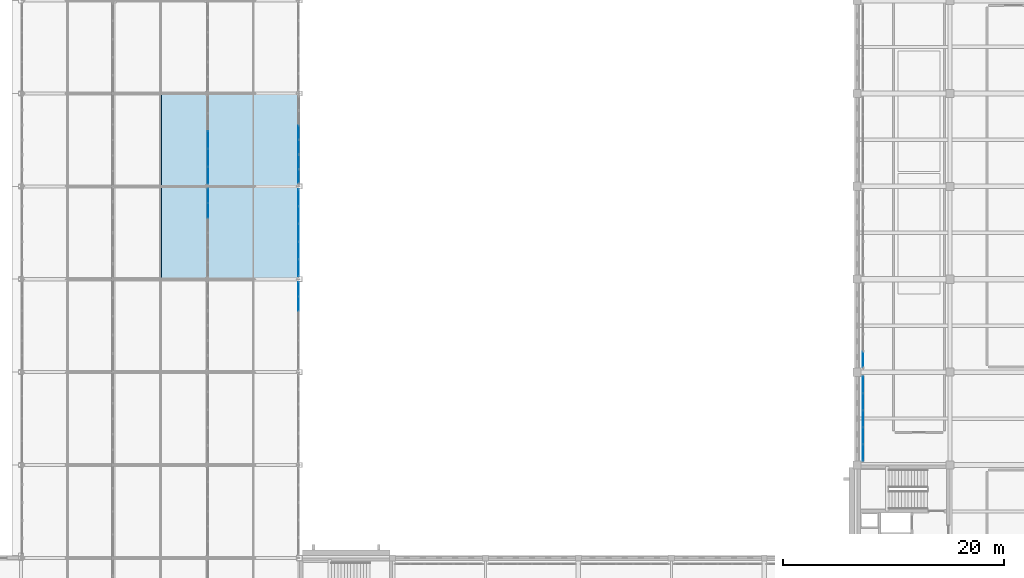
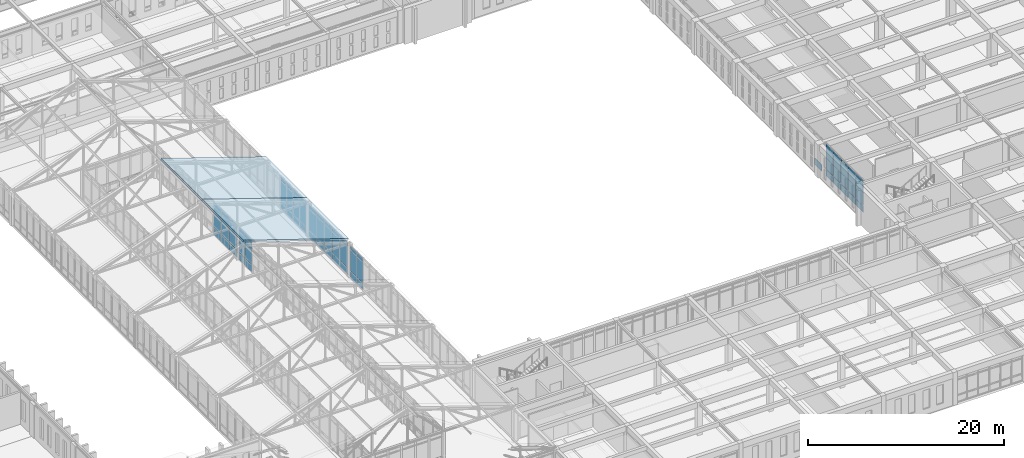
# One storey, part 119 of 192: 64 plates, 2 slabs, 7 elements without a shape of their own.
"""IFC4 building model written with IfcOpenShell, lengths in metres."""

from ifc_helpers import new_model, si_unit, direction, frame, origin, origin_2d, place, context, subcontext, project, spatial, polyline, rectangle, outline, extrude, material, layer, layer_set, type_object, element, aggregate, save


model = new_model("IFC4")

# Units and contexts
model_context = context("Model", 3, precision=1e-05, world=origin(), true_north=direction((0.0, 1.0)))
body_context = subcontext(model_context, "Body", "Model", "MODEL_VIEW")
ifc_project = project(units=[si_unit("LENGTHUNIT", "METRE"), si_unit("AREAUNIT", "SQUARE_METRE"), si_unit("VOLUMEUNIT", "CUBIC_METRE"), si_unit("PLANEANGLEUNIT", "RADIAN"), si_unit("MASSUNIT", "GRAM", prefix="KILO")], contexts=[model_context])

# Site, building, storey
site_placement = place(None, origin())
site = spatial("IfcSite", under=ifc_project, at=site_placement, CompositionType="ELEMENT")
building_placement = place(site_placement, origin())
building = spatial("IfcBuilding", under=site, at=building_placement, Name="Kveldsbrygga Polytechnic", CompositionType="ELEMENT")
storey_placement = place(building_placement, frame((0.0, 0.0, 5.43994140625)))
storey = spatial("IfcBuildingStorey", under=building, at=storey_placement, Name="L01", CompositionType="ELEMENT", Elevation=5.43994140625)

# Curtain wall, plates
ifc_material_1 = material(Name="Anodised aluminium AW-6060", Category="aluminium")
ifc_layer_1 = layer(ifc_material_1, 0.179931640625)
ifc_layer_set_1 = layer_set([ifc_layer_1], Name="Anodised aluminium AW-6060")
curtain_wall_type_1 = type_object("IfcCurtainWallType", Name="CW-CONC-A", PredefinedType="USERDEFINED", material=ifc_layer_set_1)
curtain_wall_1_placement = place(storey_placement, origin())
curtain_wall_1 = element("IfcCurtainWall", 1, at=curtain_wall_1_placement, inside=storey, type_object=curtain_wall_type_1, Name="Curtain Wall CW-L01-Y-09-05", ObjectType="UNITISED CURTAIN WALL", PredefinedType="USERDEFINED")
ifc_material_2 = material(Name="Insulated triple low-E glass", Category="glass")
ifc_layer_2 = layer(ifc_material_2, 0.035888671875)
ifc_layer_set_2 = layer_set([ifc_layer_2], Name="Insulated triple low-E glass")
plate_type_1 = type_object("IfcPlateType", Name="CW-PAN-VIS36", PredefinedType="CURTAIN_PANEL", material=ifc_layer_set_2)
plate_1_placement = place(storey_placement, frame((75.5, 48.1875, 0.06005859375), z_axis=(0.0, 0.0, 1.0), x_axis=(0.0, 1.0, 0.0)))
plate_1 = element("IfcPlate", 2, at=plate_1_placement, type_object=plate_type_1, Name="CW-01 panel 5.1", PredefinedType="CURTAIN_PANEL", context=body_context, shape_type="SweptSolid", body=[
    extrude(rectangle(XDim=1.264892578125, YDim=0.035888671875, at=origin_2d()), origin(), (0.0, 0.0, 1.0), 0.81005859375),
])
plate_2_placement = place(storey_placement, frame((75.5, 48.1875, 0.93017578125), z_axis=(0.0, 0.0, 1.0), x_axis=(0.0, 1.0, 0.0)))
plate_2 = element("IfcPlate", 3, at=plate_2_placement, type_object=plate_type_1, Name="CW-01 panel 5.2", PredefinedType="CURTAIN_PANEL", context=body_context, shape_type="SweptSolid", body=[
    extrude(rectangle(XDim=1.264892578125, YDim=0.035888671875, at=origin_2d()), origin(), (0.0, 0.0, 1.0), 2.610107421875),
])
plate_3_placement = place(storey_placement, frame((75.5, 48.1875, 3.60009765625), z_axis=(0.0, 0.0, 1.0), x_axis=(0.0, 1.0, 0.0)))
plate_3 = element("IfcPlate", 4, at=plate_3_placement, type_object=plate_type_1, Name="CW-01 panel 5.3", PredefinedType="CURTAIN_PANEL", context=body_context, shape_type="SweptSolid", body=[
    extrude(rectangle(XDim=1.264892578125, YDim=0.035888671875, at=origin_2d()), origin(), (0.0, 0.0, 1.0), 0.4599609375),
])
plate_4_placement = place(storey_placement, frame((75.5, 49.49755859375, 0.06005859375), z_axis=(0.0, 0.0, 1.0), x_axis=(0.0, 1.0, 0.0)))
plate_4 = element("IfcPlate", 5, at=plate_4_placement, type_object=plate_type_1, Name="CW-01 panel 6.1", PredefinedType="CURTAIN_PANEL", context=body_context, shape_type="SweptSolid", body=[
    extrude(rectangle(XDim=1.235107421875, YDim=0.035888671875, at=origin_2d()), origin(), (0.0, 0.0, 1.0), 0.81005859375),
])
plate_5_placement = place(storey_placement, frame((75.5, 49.49755859375, 0.93017578125), z_axis=(0.0, 0.0, 1.0), x_axis=(0.0, 1.0, 0.0)))
plate_5 = element("IfcPlate", 6, at=plate_5_placement, type_object=plate_type_1, Name="CW-01 panel 6.2", PredefinedType="CURTAIN_PANEL", context=body_context, shape_type="SweptSolid", body=[
    extrude(rectangle(XDim=1.235107421875, YDim=0.035888671875, at=origin_2d()), origin(), (0.0, 0.0, 1.0), 2.610107421875),
])
plate_6_placement = place(storey_placement, frame((75.5, 49.49755859375, 3.60009765625), z_axis=(0.0, 0.0, 1.0), x_axis=(0.0, 1.0, 0.0)))
plate_6 = element("IfcPlate", 7, at=plate_6_placement, type_object=plate_type_1, Name="CW-01 panel 6.3", PredefinedType="CURTAIN_PANEL", context=body_context, shape_type="SweptSolid", body=[
    extrude(rectangle(XDim=1.235107421875, YDim=0.035888671875, at=origin_2d()), origin(), (0.0, 0.0, 1.0), 0.4599609375),
])
aggregate(curtain_wall_1, [plate_1, plate_2, plate_3, plate_4, plate_5, plate_6])

curtain_wall_2_placement = place(storey_placement, origin())
curtain_wall_2 = element("IfcCurtainWall", 8, at=curtain_wall_2_placement, inside=storey, type_object=curtain_wall_type_1, Name="Curtain Wall CW-L01-Y-08-06", ObjectType="UNITISED CURTAIN WALL", PredefinedType="USERDEFINED")
plate_7_placement = place(storey_placement, frame((67.300048828125, 56.62255859375, 0.06005859375), z_axis=(0.0, 0.0, 1.0), x_axis=(0.0, 1.0, 0.0)))
plate_7 = element("IfcPlate", 9, at=plate_7_placement, type_object=plate_type_1, Name="CW-01 panel 5.1", PredefinedType="CURTAIN_PANEL", context=body_context, shape_type="SweptSolid", body=[
    extrude(rectangle(XDim=1.288330078125, YDim=0.035888671875, at=origin_2d()), origin(), (0.0, 0.0, 1.0), 0.81005859375),
])
plate_8_placement = place(storey_placement, frame((67.300048828125, 56.62255859375, 0.93017578125), z_axis=(0.0, 0.0, 1.0), x_axis=(0.0, 1.0, 0.0)))
plate_8 = element("IfcPlate", 10, at=plate_8_placement, type_object=plate_type_1, Name="CW-01 panel 5.2", PredefinedType="CURTAIN_PANEL", context=body_context, shape_type="SweptSolid", body=[
    extrude(rectangle(XDim=1.288330078125, YDim=0.035888671875, at=origin_2d()), origin(), (0.0, 0.0, 1.0), 2.610107421875),
])
plate_9_placement = place(storey_placement, frame((67.300048828125, 56.62255859375, 3.60009765625), z_axis=(0.0, 0.0, 1.0), x_axis=(0.0, 1.0, 0.0)))
plate_9 = element("IfcPlate", 11, at=plate_9_placement, type_object=plate_type_1, Name="CW-01 panel 5.3", PredefinedType="CURTAIN_PANEL", context=body_context, shape_type="SweptSolid", body=[
    extrude(rectangle(XDim=1.288330078125, YDim=0.035888671875, at=origin_2d()), origin(), (0.0, 0.0, 1.0), 0.4599609375),
])
plate_10_placement = place(storey_placement, frame((67.300048828125, 57.955810546875, 0.06005859375), z_axis=(0.0, 0.0, 1.0), x_axis=(0.0, 1.0, 0.0)))
plate_10 = element("IfcPlate", 12, at=plate_10_placement, type_object=plate_type_1, Name="CW-01 panel 6.1", PredefinedType="CURTAIN_PANEL", context=body_context, shape_type="SweptSolid", body=[
    extrude(rectangle(XDim=1.25830078125, YDim=0.035888671875, at=origin_2d()), origin(), (0.0, 0.0, 1.0), 0.81005859375),
])
plate_11_placement = place(storey_placement, frame((67.300048828125, 57.955810546875, 0.93017578125), z_axis=(0.0, 0.0, 1.0), x_axis=(0.0, 1.0, 0.0)))
plate_11 = element("IfcPlate", 13, at=plate_11_placement, type_object=plate_type_1, Name="CW-01 panel 6.2", PredefinedType="CURTAIN_PANEL", context=body_context, shape_type="SweptSolid", body=[
    extrude(rectangle(XDim=1.25830078125, YDim=0.035888671875, at=origin_2d()), origin(), (0.0, 0.0, 1.0), 2.610107421875),
])
plate_12_placement = place(storey_placement, frame((67.300048828125, 57.955810546875, 3.60009765625), z_axis=(0.0, 0.0, 1.0), x_axis=(0.0, 1.0, 0.0)))
plate_12 = element("IfcPlate", 14, at=plate_12_placement, type_object=plate_type_1, Name="CW-01 panel 6.3", PredefinedType="CURTAIN_PANEL", context=body_context, shape_type="SweptSolid", body=[
    extrude(rectangle(XDim=1.25830078125, YDim=0.035888671875, at=origin_2d()), origin(), (0.0, 0.0, 1.0), 0.4599609375),
])
aggregate(curtain_wall_2, [plate_7, plate_8, plate_9, plate_10, plate_11, plate_12])

# Curtain wall, plate
ifc_layer_3 = layer(ifc_material_1, 0.18994140625)
ifc_layer_set_3 = layer_set([ifc_layer_3], Name="Anodised aluminium AW-6060")
curtain_wall_type_2 = type_object("IfcCurtainWallType", Name="CW-REFC-G", PredefinedType="USERDEFINED", material=ifc_layer_set_3)
curtain_wall_3_placement = place(storey_placement, origin())
curtain_wall_3 = element("IfcCurtainWall", 15, at=curtain_wall_3_placement, inside=storey, type_object=curtain_wall_type_2, Name="Curtain Wall CW-L01-Y-15-05", ObjectType="UNITISED CURTAIN WALL", PredefinedType="USERDEFINED")
plate_13_placement = place(storey_placement, frame((126.550048828125, 43.148193359375, 0.06005859375), z_axis=(0.0, 0.0, 1.0), x_axis=(0.0, 1.0, 0.0)))
plate_13 = element("IfcPlate", 16, at=plate_13_placement, type_object=plate_type_1, Name="CW-07 panel 1.1", PredefinedType="CURTAIN_PANEL", context=body_context, shape_type="SweptSolid", body=[
    extrude(rectangle(XDim=1.426513671875, YDim=0.035888671875, at=origin_2d()), origin(), (0.0, 0.0, 1.0), 0.81005859375),
])
aggregate(curtain_wall_3, [plate_13])

# Curtain wall, plates
ifc_layer_4 = layer(ifc_material_1, 0.199951171875)
ifc_layer_set_4 = layer_set([ifc_layer_4], Name="Anodised aluminium AW-6060")
curtain_wall_type_3 = type_object("IfcCurtainWallType", Name="CW-CONC-B", PredefinedType="USERDEFINED", material=ifc_layer_set_4)
curtain_wall_4_placement = place(storey_placement, origin())
curtain_wall_4 = element("IfcCurtainWall", 17, at=curtain_wall_4_placement, inside=storey, type_object=curtain_wall_type_3, Name="Curtain Wall CW-L01-Y-09-06", ObjectType="UNITISED CURTAIN WALL", PredefinedType="USERDEFINED")
ifc_layer_5 = layer(ifc_material_2, 0.0419921875)
ifc_layer_set_5 = layer_set([ifc_layer_5], Name="Insulated triple low-E glass")
plate_type_2 = type_object("IfcPlateType", Name="CW-PAN-VIS42", PredefinedType="CURTAIN_PANEL", material=ifc_layer_set_5)
plate_14_placement = place(storey_placement, frame((75.5, 51.43505859375, 0.06005859375), z_axis=(0.0, 0.0, 1.0), x_axis=(0.0, 1.0, 0.0)))
plate_14 = element("IfcPlate", 18, at=plate_14_placement, type_object=plate_type_2, Name="CW-02 panel 1.1", PredefinedType="CURTAIN_PANEL", context=body_context, shape_type="SweptSolid", body=[
    extrude(rectangle(XDim=1.5, YDim=0.0419921875, at=origin_2d()), origin(), (0.0, 0.0, 1.0), 0.81005859375),
])
plate_15_placement = place(storey_placement, frame((75.5, 51.43505859375, 0.93017578125), z_axis=(0.0, 0.0, 1.0), x_axis=(0.0, 1.0, 0.0)))
plate_15 = element("IfcPlate", 19, at=plate_15_placement, type_object=plate_type_2, Name="CW-02 panel 1.2", PredefinedType="CURTAIN_PANEL", context=body_context, shape_type="SweptSolid", body=[
    extrude(rectangle(XDim=1.5, YDim=0.0419921875, at=origin_2d()), origin(), (0.0, 0.0, 1.0), 2.610107421875),
])
plate_16_placement = place(storey_placement, frame((75.5, 51.43505859375, 3.60009765625), z_axis=(0.0, 0.0, 1.0), x_axis=(0.0, 1.0, 0.0)))
plate_16 = element("IfcPlate", 20, at=plate_16_placement, type_object=plate_type_2, Name="CW-02 panel 1.3", PredefinedType="CURTAIN_PANEL", context=body_context, shape_type="SweptSolid", body=[
    extrude(rectangle(XDim=1.5, YDim=0.0419921875, at=origin_2d()), origin(), (0.0, 0.0, 1.0), 0.4599609375),
])
plate_17_placement = place(storey_placement, frame((75.5, 53.010009765625, 0.06005859375), z_axis=(0.0, 0.0, 1.0), x_axis=(0.0, 1.0, 0.0)))
plate_17 = element("IfcPlate", 21, at=plate_17_placement, type_object=plate_type_2, Name="CW-02 panel 2.1", PredefinedType="CURTAIN_PANEL", context=body_context, shape_type="SweptSolid", body=[
    extrude(rectangle(XDim=1.530029296875, YDim=0.0419921875, at=origin_2d()), origin(), (0.0, 0.0, 1.0), 0.81005859375),
])
plate_18_placement = place(storey_placement, frame((75.5, 53.010009765625, 0.93017578125), z_axis=(0.0, 0.0, 1.0), x_axis=(0.0, 1.0, 0.0)))
plate_18 = element("IfcPlate", 22, at=plate_18_placement, type_object=plate_type_2, Name="CW-02 panel 2.2", PredefinedType="CURTAIN_PANEL", context=body_context, shape_type="SweptSolid", body=[
    extrude(rectangle(XDim=1.530029296875, YDim=0.0419921875, at=origin_2d()), origin(), (0.0, 0.0, 1.0), 2.610107421875),
])
plate_19_placement = place(storey_placement, frame((75.5, 53.010009765625, 3.60009765625), z_axis=(0.0, 0.0, 1.0), x_axis=(0.0, 1.0, 0.0)))
plate_19 = element("IfcPlate", 23, at=plate_19_placement, type_object=plate_type_2, Name="CW-02 panel 2.3", PredefinedType="CURTAIN_PANEL", context=body_context, shape_type="SweptSolid", body=[
    extrude(rectangle(XDim=1.530029296875, YDim=0.0419921875, at=origin_2d()), origin(), (0.0, 0.0, 1.0), 0.4599609375),
])
plate_20_placement = place(storey_placement, frame((75.5, 54.60009765625, 0.06005859375), z_axis=(0.0, 0.0, 1.0), x_axis=(0.0, 1.0, 0.0)))
plate_20 = element("IfcPlate", 24, at=plate_20_placement, type_object=plate_type_2, Name="CW-02 panel 3.1", PredefinedType="CURTAIN_PANEL", context=body_context, shape_type="SweptSolid", body=[
    extrude(rectangle(XDim=1.530029296875, YDim=0.0419921875, at=origin_2d()), origin(), (0.0, 0.0, 1.0), 0.81005859375),
])
plate_21_placement = place(storey_placement, frame((75.5, 54.60009765625, 0.93017578125), z_axis=(0.0, 0.0, 1.0), x_axis=(0.0, 1.0, 0.0)))
plate_21 = element("IfcPlate", 25, at=plate_21_placement, type_object=plate_type_2, Name="CW-02 panel 3.2", PredefinedType="CURTAIN_PANEL", context=body_context, shape_type="SweptSolid", body=[
    extrude(rectangle(XDim=1.530029296875, YDim=0.0419921875, at=origin_2d()), origin(), (0.0, 0.0, 1.0), 2.610107421875),
])
plate_22_placement = place(storey_placement, frame((75.5, 54.60009765625, 3.60009765625), z_axis=(0.0, 0.0, 1.0), x_axis=(0.0, 1.0, 0.0)))
plate_22 = element("IfcPlate", 26, at=plate_22_placement, type_object=plate_type_2, Name="CW-02 panel 3.3", PredefinedType="CURTAIN_PANEL", context=body_context, shape_type="SweptSolid", body=[
    extrude(rectangle(XDim=1.530029296875, YDim=0.0419921875, at=origin_2d()), origin(), (0.0, 0.0, 1.0), 0.4599609375),
])
plate_23_placement = place(storey_placement, frame((75.5, 56.18994140625, 0.06005859375), z_axis=(0.0, 0.0, 1.0), x_axis=(0.0, 1.0, 0.0)))
plate_23 = element("IfcPlate", 27, at=plate_23_placement, type_object=plate_type_2, Name="CW-02 panel 4.1", PredefinedType="CURTAIN_PANEL", context=body_context, shape_type="SweptSolid", body=[
    extrude(rectangle(XDim=1.530029296875, YDim=0.0419921875, at=origin_2d()), origin(), (0.0, 0.0, 1.0), 0.81005859375),
])
plate_24_placement = place(storey_placement, frame((75.5, 56.18994140625, 0.93017578125), z_axis=(0.0, 0.0, 1.0), x_axis=(0.0, 1.0, 0.0)))
plate_24 = element("IfcPlate", 28, at=plate_24_placement, type_object=plate_type_2, Name="CW-02 panel 4.2", PredefinedType="CURTAIN_PANEL", context=body_context, shape_type="SweptSolid", body=[
    extrude(rectangle(XDim=1.530029296875, YDim=0.0419921875, at=origin_2d()), origin(), (0.0, 0.0, 1.0), 2.610107421875),
])
plate_25_placement = place(storey_placement, frame((75.5, 56.18994140625, 3.60009765625), z_axis=(0.0, 0.0, 1.0), x_axis=(0.0, 1.0, 0.0)))
plate_25 = element("IfcPlate", 29, at=plate_25_placement, type_object=plate_type_2, Name="CW-02 panel 4.3", PredefinedType="CURTAIN_PANEL", context=body_context, shape_type="SweptSolid", body=[
    extrude(rectangle(XDim=1.530029296875, YDim=0.0419921875, at=origin_2d()), origin(), (0.0, 0.0, 1.0), 0.4599609375),
])
plate_26_placement = place(storey_placement, frame((75.5, 57.764892578125, 0.06005859375), z_axis=(0.0, 0.0, 1.0), x_axis=(0.0, 1.0, 0.0)))
plate_26 = element("IfcPlate", 30, at=plate_26_placement, type_object=plate_type_2, Name="CW-02 panel 5.1", PredefinedType="CURTAIN_PANEL", context=body_context, shape_type="SweptSolid", body=[
    extrude(rectangle(XDim=1.5, YDim=0.0419921875, at=origin_2d()), origin(), (0.0, 0.0, 1.0), 0.81005859375),
])
plate_27_placement = place(storey_placement, frame((75.5, 57.764892578125, 0.93017578125), z_axis=(0.0, 0.0, 1.0), x_axis=(0.0, 1.0, 0.0)))
plate_27 = element("IfcPlate", 31, at=plate_27_placement, type_object=plate_type_2, Name="CW-02 panel 5.2", PredefinedType="CURTAIN_PANEL", context=body_context, shape_type="SweptSolid", body=[
    extrude(rectangle(XDim=1.5, YDim=0.0419921875, at=origin_2d()), origin(), (0.0, 0.0, 1.0), 2.610107421875),
])
plate_28_placement = place(storey_placement, frame((75.5, 57.764892578125, 3.60009765625), z_axis=(0.0, 0.0, 1.0), x_axis=(0.0, 1.0, 0.0)))
plate_28 = element("IfcPlate", 32, at=plate_28_placement, type_object=plate_type_2, Name="CW-02 panel 5.3", PredefinedType="CURTAIN_PANEL", context=body_context, shape_type="SweptSolid", body=[
    extrude(rectangle(XDim=1.5, YDim=0.0419921875, at=origin_2d()), origin(), (0.0, 0.0, 1.0), 0.4599609375),
])
aggregate(curtain_wall_4, [plate_14, plate_15, plate_16, plate_17, plate_18, plate_19, plate_20, plate_21, plate_22, plate_23, plate_24, plate_25, plate_26, plate_27, plate_28])

curtain_wall_5_placement = place(storey_placement, origin())
curtain_wall_5 = element("IfcCurtainWall", 33, at=curtain_wall_5_placement, inside=storey, type_object=curtain_wall_type_3, Name="Curtain Wall CW-L01-Y-08-07", ObjectType="UNITISED CURTAIN WALL", PredefinedType="USERDEFINED")
plate_29_placement = place(storey_placement, frame((67.300048828125, 59.779052734375, 0.06005859375), z_axis=(0.0, 0.0, 1.0), x_axis=(0.0, 1.0, 0.0)))
plate_29 = element("IfcPlate", 34, at=plate_29_placement, type_object=plate_type_2, Name="CW-02 panel 1.1", PredefinedType="CURTAIN_PANEL", context=body_context, shape_type="SweptSolid", body=[
    extrude(rectangle(XDim=1.528076171875, YDim=0.0419921875, at=origin_2d()), origin(), (0.0, 0.0, 1.0), 0.81005859375),
])
plate_30_placement = place(storey_placement, frame((67.300048828125, 59.779052734375, 0.93017578125), z_axis=(0.0, 0.0, 1.0), x_axis=(0.0, 1.0, 0.0)))
plate_30 = element("IfcPlate", 35, at=plate_30_placement, type_object=plate_type_2, Name="CW-02 panel 1.2", PredefinedType="CURTAIN_PANEL", context=body_context, shape_type="SweptSolid", body=[
    extrude(rectangle(XDim=1.528076171875, YDim=0.0419921875, at=origin_2d()), origin(), (0.0, 0.0, 1.0), 2.610107421875),
])
plate_31_placement = place(storey_placement, frame((67.300048828125, 59.779052734375, 3.60009765625), z_axis=(0.0, 0.0, 1.0), x_axis=(0.0, 1.0, 0.0)))
plate_31 = element("IfcPlate", 36, at=plate_31_placement, type_object=plate_type_2, Name="CW-02 panel 1.3", PredefinedType="CURTAIN_PANEL", context=body_context, shape_type="SweptSolid", body=[
    extrude(rectangle(XDim=1.528076171875, YDim=0.0419921875, at=origin_2d()), origin(), (0.0, 0.0, 1.0), 0.4599609375),
])
plate_32_placement = place(storey_placement, frame((67.300048828125, 61.382080078125, 0.06005859375), z_axis=(0.0, 0.0, 1.0), x_axis=(0.0, 1.0, 0.0)))
plate_32 = element("IfcPlate", 37, at=plate_32_placement, type_object=plate_type_2, Name="CW-02 panel 2.1", PredefinedType="CURTAIN_PANEL", context=body_context, shape_type="SweptSolid", body=[
    extrude(rectangle(XDim=1.55810546875, YDim=0.0419921875, at=origin_2d()), origin(), (0.0, 0.0, 1.0), 0.81005859375),
])
plate_33_placement = place(storey_placement, frame((67.300048828125, 61.382080078125, 0.93017578125), z_axis=(0.0, 0.0, 1.0), x_axis=(0.0, 1.0, 0.0)))
plate_33 = element("IfcPlate", 38, at=plate_33_placement, type_object=plate_type_2, Name="CW-02 panel 2.2", PredefinedType="CURTAIN_PANEL", context=body_context, shape_type="SweptSolid", body=[
    extrude(rectangle(XDim=1.55810546875, YDim=0.0419921875, at=origin_2d()), origin(), (0.0, 0.0, 1.0), 2.610107421875),
])
plate_34_placement = place(storey_placement, frame((67.300048828125, 61.382080078125, 3.60009765625), z_axis=(0.0, 0.0, 1.0), x_axis=(0.0, 1.0, 0.0)))
plate_34 = element("IfcPlate", 39, at=plate_34_placement, type_object=plate_type_2, Name="CW-02 panel 2.3", PredefinedType="CURTAIN_PANEL", context=body_context, shape_type="SweptSolid", body=[
    extrude(rectangle(XDim=1.55810546875, YDim=0.0419921875, at=origin_2d()), origin(), (0.0, 0.0, 1.0), 0.4599609375),
])
plate_35_placement = place(storey_placement, frame((67.300048828125, 63.0, 0.06005859375), z_axis=(0.0, 0.0, 1.0), x_axis=(0.0, 1.0, 0.0)))
plate_35 = element("IfcPlate", 40, at=plate_35_placement, type_object=plate_type_2, Name="CW-02 panel 3.1", PredefinedType="CURTAIN_PANEL", context=body_context, shape_type="SweptSolid", body=[
    extrude(rectangle(XDim=1.55810546875, YDim=0.0419921875, at=origin_2d()), origin(), (0.0, 0.0, 1.0), 0.81005859375),
])
plate_36_placement = place(storey_placement, frame((67.300048828125, 63.0, 0.93017578125), z_axis=(0.0, 0.0, 1.0), x_axis=(0.0, 1.0, 0.0)))
plate_36 = element("IfcPlate", 41, at=plate_36_placement, type_object=plate_type_2, Name="CW-02 panel 3.2", PredefinedType="CURTAIN_PANEL", context=body_context, shape_type="SweptSolid", body=[
    extrude(rectangle(XDim=1.55810546875, YDim=0.0419921875, at=origin_2d()), origin(), (0.0, 0.0, 1.0), 2.610107421875),
])
plate_37_placement = place(storey_placement, frame((67.300048828125, 63.0, 3.60009765625), z_axis=(0.0, 0.0, 1.0), x_axis=(0.0, 1.0, 0.0)))
plate_37 = element("IfcPlate", 42, at=plate_37_placement, type_object=plate_type_2, Name="CW-02 panel 3.3", PredefinedType="CURTAIN_PANEL", context=body_context, shape_type="SweptSolid", body=[
    extrude(rectangle(XDim=1.55810546875, YDim=0.0419921875, at=origin_2d()), origin(), (0.0, 0.0, 1.0), 0.4599609375),
])
aggregate(curtain_wall_5, [plate_29, plate_30, plate_31, plate_32, plate_33, plate_34, plate_35, plate_36, plate_37])

ifc_layer_6 = layer(ifc_material_1, 0.159912109375)
ifc_layer_set_6 = layer_set([ifc_layer_6], Name="Anodised aluminium AW-6060")
curtain_wall_type_4 = type_object("IfcCurtainWallType", Name="CW-CLER-C", PredefinedType="USERDEFINED", material=ifc_layer_set_6)
curtain_wall_6_placement = place(storey_placement, origin())
curtain_wall_6 = element("IfcCurtainWall", 43, at=curtain_wall_6_placement, inside=storey, type_object=curtain_wall_type_4, Name="Curtain Wall CW-L01-Y-09-07", ObjectType="STICK CURTAIN WALL", PredefinedType="USERDEFINED")
ifc_layer_7 = layer(ifc_material_2, 0.048095703125)
ifc_layer_set_7 = layer_set([ifc_layer_7], Name="Insulated triple low-E glass")
plate_type_3 = type_object("IfcPlateType", Name="CW-PAN-VIS48", PredefinedType="CURTAIN_PANEL", material=ifc_layer_set_7)
plate_38_placement = place(storey_placement, frame((75.5, 59.706298828125, 0.074951171875), z_axis=(0.0, 0.0, 1.0), x_axis=(0.0, 1.0, 0.0)))
plate_38 = element("IfcPlate", 44, at=plate_38_placement, type_object=plate_type_3, Name="CW-03 panel 1.1", PredefinedType="CURTAIN_PANEL", context=body_context, shape_type="SweptSolid", body=[
    extrude(rectangle(XDim=1.21240234375, YDim=0.048095703125, at=origin_2d()), origin(), (0.0, 0.0, 1.0), 0.78759765625),
])
plate_39_placement = place(storey_placement, frame((75.5, 59.706298828125, 0.9375), z_axis=(0.0, 0.0, 1.0), x_axis=(0.0, 1.0, 0.0)))
plate_39 = element("IfcPlate", 45, at=plate_39_placement, type_object=plate_type_3, Name="CW-03 panel 1.2", PredefinedType="CURTAIN_PANEL", context=body_context, shape_type="SweptSolid", body=[
    extrude(rectangle(XDim=1.21240234375, YDim=0.048095703125, at=origin_2d()), origin(), (0.0, 0.0, 1.0), 2.594970703125),
])
plate_40_placement = place(storey_placement, frame((75.5, 59.706298828125, 3.607666015625), z_axis=(0.0, 0.0, 1.0), x_axis=(0.0, 1.0, 0.0)))
plate_40 = element("IfcPlate", 46, at=plate_40_placement, type_object=plate_type_3, Name="CW-03 panel 1.3", PredefinedType="CURTAIN_PANEL", context=body_context, shape_type="SweptSolid", body=[
    extrude(rectangle(XDim=1.21240234375, YDim=0.048095703125, at=origin_2d()), origin(), (0.0, 0.0, 1.0), 0.4375),
])
plate_41_placement = place(storey_placement, frame((75.5, 61.012451171875, 0.074951171875), z_axis=(0.0, 0.0, 1.0), x_axis=(0.0, 1.0, 0.0)))
plate_41 = element("IfcPlate", 47, at=plate_41_placement, type_object=plate_type_3, Name="CW-03 panel 2.1", PredefinedType="CURTAIN_PANEL", context=body_context, shape_type="SweptSolid", body=[
    extrude(rectangle(XDim=1.25, YDim=0.048095703125, at=origin_2d()), origin(), (0.0, 0.0, 1.0), 0.78759765625),
])
plate_42_placement = place(storey_placement, frame((75.5, 61.012451171875, 0.9375), z_axis=(0.0, 0.0, 1.0), x_axis=(0.0, 1.0, 0.0)))
plate_42 = element("IfcPlate", 48, at=plate_42_placement, type_object=plate_type_3, Name="CW-03 panel 2.2", PredefinedType="CURTAIN_PANEL", context=body_context, shape_type="SweptSolid", body=[
    extrude(rectangle(XDim=1.25, YDim=0.048095703125, at=origin_2d()), origin(), (0.0, 0.0, 1.0), 2.594970703125),
])
plate_43_placement = place(storey_placement, frame((75.5, 61.012451171875, 3.607666015625), z_axis=(0.0, 0.0, 1.0), x_axis=(0.0, 1.0, 0.0)))
plate_43 = element("IfcPlate", 49, at=plate_43_placement, type_object=plate_type_3, Name="CW-03 panel 2.3", PredefinedType="CURTAIN_PANEL", context=body_context, shape_type="SweptSolid", body=[
    extrude(rectangle(XDim=1.25, YDim=0.048095703125, at=origin_2d()), origin(), (0.0, 0.0, 1.0), 0.4375),
])
plate_44_placement = place(storey_placement, frame((75.5, 62.33740234375, 0.074951171875), z_axis=(0.0, 0.0, 1.0), x_axis=(0.0, 1.0, 0.0)))
plate_44 = element("IfcPlate", 50, at=plate_44_placement, type_object=plate_type_3, Name="CW-03 panel 3.1", PredefinedType="CURTAIN_PANEL", context=body_context, shape_type="SweptSolid", body=[
    extrude(rectangle(XDim=1.25, YDim=0.048095703125, at=origin_2d()), origin(), (0.0, 0.0, 1.0), 0.78759765625),
])
plate_45_placement = place(storey_placement, frame((75.5, 62.33740234375, 0.9375), z_axis=(0.0, 0.0, 1.0), x_axis=(0.0, 1.0, 0.0)))
plate_45 = element("IfcPlate", 51, at=plate_45_placement, type_object=plate_type_3, Name="CW-03 panel 3.2", PredefinedType="CURTAIN_PANEL", context=body_context, shape_type="SweptSolid", body=[
    extrude(rectangle(XDim=1.25, YDim=0.048095703125, at=origin_2d()), origin(), (0.0, 0.0, 1.0), 2.594970703125),
])
plate_46_placement = place(storey_placement, frame((75.5, 62.33740234375, 3.607666015625), z_axis=(0.0, 0.0, 1.0), x_axis=(0.0, 1.0, 0.0)))
plate_46 = element("IfcPlate", 52, at=plate_46_placement, type_object=plate_type_3, Name="CW-03 panel 3.3", PredefinedType="CURTAIN_PANEL", context=body_context, shape_type="SweptSolid", body=[
    extrude(rectangle(XDim=1.25, YDim=0.048095703125, at=origin_2d()), origin(), (0.0, 0.0, 1.0), 0.4375),
])
plate_47_placement = place(storey_placement, frame((75.5, 63.66259765625, 0.074951171875), z_axis=(0.0, 0.0, 1.0), x_axis=(0.0, 1.0, 0.0)))
plate_47 = element("IfcPlate", 53, at=plate_47_placement, type_object=plate_type_3, Name="CW-03 panel 4.1", PredefinedType="CURTAIN_PANEL", context=body_context, shape_type="SweptSolid", body=[
    extrude(rectangle(XDim=1.25, YDim=0.048095703125, at=origin_2d()), origin(), (0.0, 0.0, 1.0), 0.78759765625),
])
plate_48_placement = place(storey_placement, frame((75.5, 63.66259765625, 0.9375), z_axis=(0.0, 0.0, 1.0), x_axis=(0.0, 1.0, 0.0)))
plate_48 = element("IfcPlate", 54, at=plate_48_placement, type_object=plate_type_3, Name="CW-03 panel 4.2", PredefinedType="CURTAIN_PANEL", context=body_context, shape_type="SweptSolid", body=[
    extrude(rectangle(XDim=1.25, YDim=0.048095703125, at=origin_2d()), origin(), (0.0, 0.0, 1.0), 2.594970703125),
])
plate_49_placement = place(storey_placement, frame((75.5, 63.66259765625, 3.607666015625), z_axis=(0.0, 0.0, 1.0), x_axis=(0.0, 1.0, 0.0)))
plate_49 = element("IfcPlate", 55, at=plate_49_placement, type_object=plate_type_3, Name="CW-03 panel 4.3", PredefinedType="CURTAIN_PANEL", context=body_context, shape_type="SweptSolid", body=[
    extrude(rectangle(XDim=1.25, YDim=0.048095703125, at=origin_2d()), origin(), (0.0, 0.0, 1.0), 0.4375),
])
aggregate(curtain_wall_6, [plate_38, plate_39, plate_40, plate_41, plate_42, plate_43, plate_44, plate_45, plate_46, plate_47, plate_48, plate_49])

ifc_layer_8 = layer(ifc_material_1, 0.169921875)
ifc_layer_set_8 = layer_set([ifc_layer_8], Name="Anodised aluminium AW-6060")
curtain_wall_type_5 = type_object("IfcCurtainWallType", Name="CW-FOYR-F", PredefinedType="USERDEFINED", material=ifc_layer_set_8)
curtain_wall_7_placement = place(storey_placement, origin())
curtain_wall_7 = element("IfcCurtainWall", 56, at=curtain_wall_7_placement, inside=storey, type_object=curtain_wall_type_5, Name="Curtain Wall CW-L01-Y-15-04", ObjectType="STICK CURTAIN WALL", PredefinedType="USERDEFINED")
plate_50_placement = place(storey_placement, frame((126.550048828125, 34.7294921875, 0.074951171875), z_axis=(0.0, 0.0, 1.0), x_axis=(0.0, 1.0, 0.0)))
plate_50 = element("IfcPlate", 57, at=plate_50_placement, type_object=plate_type_3, Name="CW-06 panel 1.1", PredefinedType="CURTAIN_PANEL", context=body_context, shape_type="SweptSolid", body=[
    extrude(rectangle(XDim=1.448974609375, YDim=0.048095703125, at=origin_2d()), origin(), (0.0, 0.0, 1.0), 0.78759765625),
])
plate_51_placement = place(storey_placement, frame((126.550048828125, 34.7294921875, 0.9375), z_axis=(0.0, 0.0, 1.0), x_axis=(0.0, 1.0, 0.0)))
plate_51 = element("IfcPlate", 58, at=plate_51_placement, type_object=plate_type_3, Name="CW-06 panel 1.2", PredefinedType="CURTAIN_PANEL", context=body_context, shape_type="SweptSolid", body=[
    extrude(rectangle(XDim=1.448974609375, YDim=0.048095703125, at=origin_2d()), origin(), (0.0, 0.0, 1.0), 2.594970703125),
])
plate_52_placement = place(storey_placement, frame((126.550048828125, 34.7294921875, 3.607666015625), z_axis=(0.0, 0.0, 1.0), x_axis=(0.0, 1.0, 0.0)))
plate_52 = element("IfcPlate", 59, at=plate_52_placement, type_object=plate_type_3, Name="CW-06 panel 1.3", PredefinedType="CURTAIN_PANEL", context=body_context, shape_type="SweptSolid", body=[
    extrude(rectangle(XDim=1.448974609375, YDim=0.048095703125, at=origin_2d()), origin(), (0.0, 0.0, 1.0), 0.4375),
])
plate_53_placement = place(storey_placement, frame((126.550048828125, 36.25341796875, 0.074951171875), z_axis=(0.0, 0.0, 1.0), x_axis=(0.0, 1.0, 0.0)))
plate_53 = element("IfcPlate", 60, at=plate_53_placement, type_object=plate_type_3, Name="CW-06 panel 2.1", PredefinedType="CURTAIN_PANEL", context=body_context, shape_type="SweptSolid", body=[
    extrude(rectangle(XDim=1.47900390625, YDim=0.048095703125, at=origin_2d()), origin(), (0.0, 0.0, 1.0), 0.78759765625),
])
plate_54_placement = place(storey_placement, frame((126.550048828125, 36.25341796875, 0.9375), z_axis=(0.0, 0.0, 1.0), x_axis=(0.0, 1.0, 0.0)))
plate_54 = element("IfcPlate", 61, at=plate_54_placement, type_object=plate_type_3, Name="CW-06 panel 2.2", PredefinedType="CURTAIN_PANEL", context=body_context, shape_type="SweptSolid", body=[
    extrude(rectangle(XDim=1.47900390625, YDim=0.048095703125, at=origin_2d()), origin(), (0.0, 0.0, 1.0), 2.594970703125),
])
plate_55_placement = place(storey_placement, frame((126.550048828125, 36.25341796875, 3.607666015625), z_axis=(0.0, 0.0, 1.0), x_axis=(0.0, 1.0, 0.0)))
plate_55 = element("IfcPlate", 62, at=plate_55_placement, type_object=plate_type_3, Name="CW-06 panel 2.3", PredefinedType="CURTAIN_PANEL", context=body_context, shape_type="SweptSolid", body=[
    extrude(rectangle(XDim=1.47900390625, YDim=0.048095703125, at=origin_2d()), origin(), (0.0, 0.0, 1.0), 0.4375),
])
plate_56_placement = place(storey_placement, frame((126.550048828125, 37.79248046875, 0.074951171875), z_axis=(0.0, 0.0, 1.0), x_axis=(0.0, 1.0, 0.0)))
plate_56 = element("IfcPlate", 63, at=plate_56_placement, type_object=plate_type_3, Name="CW-06 panel 3.1", PredefinedType="CURTAIN_PANEL", context=body_context, shape_type="SweptSolid", body=[
    extrude(rectangle(XDim=1.47900390625, YDim=0.048095703125, at=origin_2d()), origin(), (0.0, 0.0, 1.0), 0.78759765625),
])
plate_57_placement = place(storey_placement, frame((126.550048828125, 37.79248046875, 0.9375), z_axis=(0.0, 0.0, 1.0), x_axis=(0.0, 1.0, 0.0)))
plate_57 = element("IfcPlate", 64, at=plate_57_placement, type_object=plate_type_3, Name="CW-06 panel 3.2", PredefinedType="CURTAIN_PANEL", context=body_context, shape_type="SweptSolid", body=[
    extrude(rectangle(XDim=1.47900390625, YDim=0.048095703125, at=origin_2d()), origin(), (0.0, 0.0, 1.0), 2.594970703125),
])
plate_58_placement = place(storey_placement, frame((126.550048828125, 37.79248046875, 3.607666015625), z_axis=(0.0, 0.0, 1.0), x_axis=(0.0, 1.0, 0.0)))
plate_58 = element("IfcPlate", 65, at=plate_58_placement, type_object=plate_type_3, Name="CW-06 panel 3.3", PredefinedType="CURTAIN_PANEL", context=body_context, shape_type="SweptSolid", body=[
    extrude(rectangle(XDim=1.47900390625, YDim=0.048095703125, at=origin_2d()), origin(), (0.0, 0.0, 1.0), 0.4375),
])
plate_59_placement = place(storey_placement, frame((126.550048828125, 39.33154296875, 0.074951171875), z_axis=(0.0, 0.0, 1.0), x_axis=(0.0, 1.0, 0.0)))
plate_59 = element("IfcPlate", 66, at=plate_59_placement, type_object=plate_type_3, Name="CW-06 panel 4.1", PredefinedType="CURTAIN_PANEL", context=body_context, shape_type="SweptSolid", body=[
    extrude(rectangle(XDim=1.47900390625, YDim=0.048095703125, at=origin_2d()), origin(), (0.0, 0.0, 1.0), 0.78759765625),
])
plate_60_placement = place(storey_placement, frame((126.550048828125, 39.33154296875, 0.9375), z_axis=(0.0, 0.0, 1.0), x_axis=(0.0, 1.0, 0.0)))
plate_60 = element("IfcPlate", 67, at=plate_60_placement, type_object=plate_type_3, Name="CW-06 panel 4.2", PredefinedType="CURTAIN_PANEL", context=body_context, shape_type="SweptSolid", body=[
    extrude(rectangle(XDim=1.47900390625, YDim=0.048095703125, at=origin_2d()), origin(), (0.0, 0.0, 1.0), 2.594970703125),
])
plate_61_placement = place(storey_placement, frame((126.550048828125, 39.33154296875, 3.607666015625), z_axis=(0.0, 0.0, 1.0), x_axis=(0.0, 1.0, 0.0)))
plate_61 = element("IfcPlate", 68, at=plate_61_placement, type_object=plate_type_3, Name="CW-06 panel 4.3", PredefinedType="CURTAIN_PANEL", context=body_context, shape_type="SweptSolid", body=[
    extrude(rectangle(XDim=1.47900390625, YDim=0.048095703125, at=origin_2d()), origin(), (0.0, 0.0, 1.0), 0.4375),
])
plate_62_placement = place(storey_placement, frame((126.550048828125, 40.85546875, 0.074951171875), z_axis=(0.0, 0.0, 1.0), x_axis=(0.0, 1.0, 0.0)))
plate_62 = element("IfcPlate", 69, at=plate_62_placement, type_object=plate_type_3, Name="CW-06 panel 5.1", PredefinedType="CURTAIN_PANEL", context=body_context, shape_type="SweptSolid", body=[
    extrude(rectangle(XDim=1.448974609375, YDim=0.048095703125, at=origin_2d()), origin(), (0.0, 0.0, 1.0), 0.78759765625),
])
plate_63_placement = place(storey_placement, frame((126.550048828125, 40.85546875, 0.9375), z_axis=(0.0, 0.0, 1.0), x_axis=(0.0, 1.0, 0.0)))
plate_63 = element("IfcPlate", 70, at=plate_63_placement, type_object=plate_type_3, Name="CW-06 panel 5.2", PredefinedType="CURTAIN_PANEL", context=body_context, shape_type="SweptSolid", body=[
    extrude(rectangle(XDim=1.448974609375, YDim=0.048095703125, at=origin_2d()), origin(), (0.0, 0.0, 1.0), 2.594970703125),
])
plate_64_placement = place(storey_placement, frame((126.550048828125, 40.85546875, 3.607666015625), z_axis=(0.0, 0.0, 1.0), x_axis=(0.0, 1.0, 0.0)))
plate_64 = element("IfcPlate", 71, at=plate_64_placement, type_object=plate_type_3, Name="CW-06 panel 5.3", PredefinedType="CURTAIN_PANEL", context=body_context, shape_type="SweptSolid", body=[
    extrude(rectangle(XDim=1.448974609375, YDim=0.048095703125, at=origin_2d()), origin(), (0.0, 0.0, 1.0), 0.4375),
])
aggregate(curtain_wall_7, [plate_50, plate_51, plate_52, plate_53, plate_54, plate_55, plate_56, plate_57, plate_58, plate_59, plate_60, plate_61, plate_62, plate_63, plate_64])

# Slabs
ifc_material_3 = material(Name="Concrete C35/45", Category="concrete")
ifc_layer_9 = layer(ifc_material_3, 0.219970703125)
ifc_layer_set_9 = layer_set([ifc_layer_9], Name="Concrete C35/45")
slab_type = type_object("IfcSlabType", Name="SLB-ROOF-220", PredefinedType="ROOF", material=ifc_layer_set_9)
slab_1_placement = place(storey_placement, frame((63.089599609375, 50.39990234375, 8.896240234375), z_axis=(0.31622213995, 0.0, 0.948685173388), x_axis=(0.948685173388, 0.0, -0.31622213995)))
element("IfcSlab", 72, at=slab_1_placement, inside=storey, type_object=slab_type, Name="Pitched Roof Slab V5C-RSLB-6-2", PredefinedType="ROOF", context=body_context, shape_type="SweptSolid", body=[
    extrude(outline(polyline([(0.0, 0.0), (13.018377585447984, 0.0), (13.018377585447984, 8.400146484375), (0.0, 8.400146484375), (0.0, 0.0)])), origin(), (0.0, 0.0, -1.0), 0.219970703125),
])
slab_2_placement = place(storey_placement, frame((63.089599609375, 58.800048828125, 8.896240234375), z_axis=(0.31622213995, 0.0, 0.948685173388), x_axis=(0.948685173388, 0.0, -0.31622213995)))
element("IfcSlab", 73, at=slab_2_placement, inside=storey, type_object=slab_type, Name="Pitched Roof Slab V5C-RSLB-7-2", PredefinedType="ROOF", context=body_context, shape_type="SweptSolid", body=[
    extrude(outline(polyline([(0.0, 0.0), (13.018377585447984, 0.0), (13.018377585447984, 8.39990234375), (0.0, 8.39990234375), (0.0, 0.0)])), origin(), (0.0, 0.0, -1.0), 0.219970703125),
])

save(model, "model.ifc")
